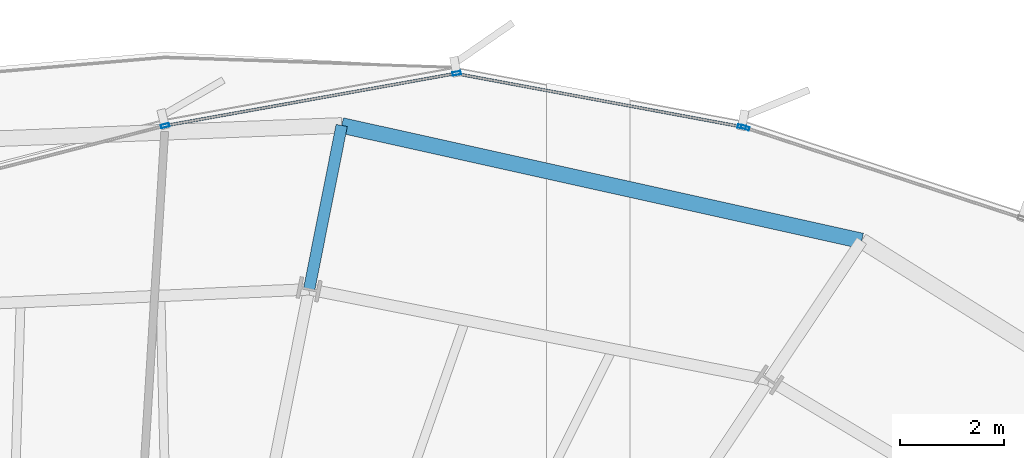
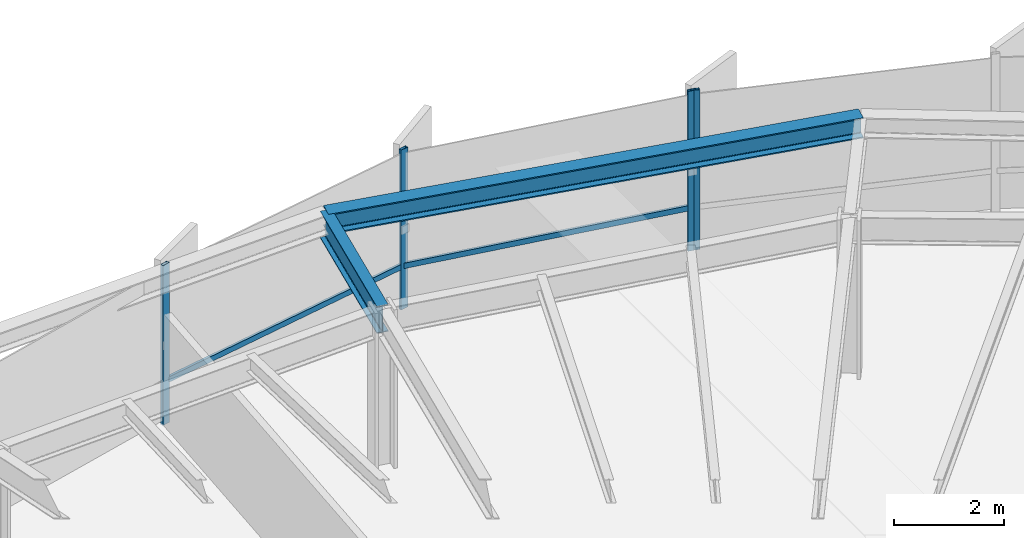
# One storey, part 28 of 38: 6 members, 2 beams, 2 elements without a shape of their own.
"""IFC4 building model written with IfcOpenShell, lengths in metres."""

from ifc_helpers import new_model, si_unit, direction, frame, origin, origin_2d, place, context, subcontext, project, spatial, hollow_rectangle, i_section, extrude, source, transform, mapped, material, layer, layer_set, material_profile, profile_set, type_object, element, aggregate, save


model = new_model("IFC4")

# Units and contexts
model_context = context("Model", 3, precision=1e-05, world=origin(), true_north=direction((0.0, 1.0)))
body_context = subcontext(model_context, "Body", "Model", "MODEL_VIEW")
ifc_project = project(units=[si_unit("LENGTHUNIT", "METRE"), si_unit("AREAUNIT", "SQUARE_METRE"), si_unit("VOLUMEUNIT", "CUBIC_METRE"), si_unit("PLANEANGLEUNIT", "RADIAN"), si_unit("MASSUNIT", "GRAM", prefix="KILO"), si_unit("THERMODYNAMICTEMPERATUREUNIT", "KELVIN")], contexts=[model_context])

# Site, building, storey
site_placement = place(None, origin())
site = spatial("IfcSite", under=ifc_project, at=site_placement, CompositionType="ELEMENT")
building_placement = place(site_placement, origin())
building = spatial("IfcBuilding", under=site, at=building_placement, Name="Kethvar Cultural Tower", CompositionType="ELEMENT")
storey_placement = place(building_placement, frame((0.0, 0.0, 67.60009765625)))
storey = spatial("IfcBuildingStorey", under=building, at=storey_placement, Name="L16", CompositionType="ELEMENT", Elevation=67.60009765625)

# Beams
ifc_material_1 = material(Name="Steel S355J2", Category="steel")
ifc_material_profile_1 = material_profile(ifc_material_1, i_section(OverallWidth=0.219970703125, OverallDepth=0.60009765625, WebThickness=0.011962890625, FlangeThickness=0.01904296875, FilletRadius=0.02392578125, at=origin_2d()), Name="Steel S355J2 — IPE600")
ifc_profile_set_1 = profile_set([ifc_material_profile_1], Name="Steel S355J2 — IPE600")
beam_type_1 = type_object("IfcBeamType", Name="BM-IPE600", PredefinedType="BEAM", material=ifc_profile_set_1)
shared_shape_1 = source(origin(), body_context, "Body", "SweptSolid", [
    extrude(i_section(OverallWidth=0.219970703125, OverallDepth=0.60009765625, WebThickness=0.011962890625, FlangeThickness=0.01904296875, FilletRadius=0.02392578125, at=origin_2d()), origin(), (0.0, 0.0, 1.0), 3.199951171875),
])
beam_1_placement = place(storey_placement, frame((51.022216796875, 49.02587890625, 3.247802734375), z_axis=(0.195088965533, 0.980785550224, 0.0), x_axis=(-0.980785550224, 0.195088965533, 0.0)))
element("IfcBeam", 1, at=beam_1_placement, inside=storey, type_object=beam_type_1, Name="L16 Perimeter Cantilever Beam RC-04", PredefinedType="BEAM", context=body_context, shape_type="MappedRepresentation", body=[
    mapped(shared_shape_1, transform((0.0, 0.0, 0.0), scale=1.0)),
])
ifc_material_profile_2 = material_profile(ifc_material_1, i_section(OverallWidth=0.300048828125, OverallDepth=0.449951171875, WebThickness=0.013916015625, FlangeThickness=0.02587890625, FilletRadius=0.027099609375, at=origin_2d()), Name="Steel S355J2 — HEB450")
ifc_profile_set_2 = profile_set([ifc_material_profile_2], Name="Steel S355J2 — HEB450")
beam_type_2 = type_object("IfcBeamType", Name="BM-SP450", PredefinedType="SPANDREL", material=ifc_profile_set_2)
shared_shape_2 = source(origin(), body_context, "Body", "SweptSolid", [
    extrude(i_section(OverallWidth=0.300048828125, OverallDepth=0.449951171875, WebThickness=0.013916015625, FlangeThickness=0.02587890625, FilletRadius=0.027099609375, at=origin_2d()), origin(), (0.0, 0.0, 1.0), 10.19873046875),
])
beam_2_placement = place(storey_placement, frame((61.602783203125, 49.9541015625, 3.322998046875), z_axis=(-0.976234913358, 0.216715006268, 0.0), x_axis=(-0.216715006268, -0.976234913358, 0.0)))
element("IfcBeam", 2, at=beam_2_placement, inside=storey, type_object=beam_type_2, Name="L16 Perimeter Spandrel Beam SP-03", PredefinedType="SPANDREL", context=body_context, shape_type="MappedRepresentation", body=[
    mapped(shared_shape_2, transform((0.0, 0.0, 0.0), scale=1.0)),
])

# Curtain wall, member
ifc_material_2 = material(Name="Aluminium 6063-T6", Category="aluminium")
ifc_layer = layer(ifc_material_2, 0.179931640625, Name="Aluminium 6063-T6", Category="aluminium")
ifc_layer_set = layer_set([ifc_layer], Name="Aluminium 6063-T6 (180 mm)")
curtain_wall_type = type_object("IfcCurtainWallType", Name="CW-SYS-02-Z1", PredefinedType="NOTDEFINED", material=ifc_layer_set)
curtain_wall_1_placement = place(storey_placement, origin())
curtain_wall_1 = element("IfcCurtainWall", 3, at=curtain_wall_1_placement, inside=storey, type_object=curtain_wall_type, Name="L16 Curtain Wall Run 01", PredefinedType="NOTDEFINED")
ifc_material_profile_3 = material_profile(ifc_material_2, hollow_rectangle(XDim=0.06494140625, YDim=0.159912109375, WallThickness=0.0048828125, at=origin_2d()), Name="Aluminium 6063-T6 — RHS160x65x5")
ifc_profile_set_3 = profile_set([ifc_material_profile_3], Name="Aluminium 6063-T6 — RHS160x65x5")
member_type_1 = type_object("IfcMemberType", Name="CW-SYS-02-Z1-MUL", PredefinedType="MULLION", material=ifc_profile_set_3)
shared_shape_3 = source(origin(), body_context, "Body", "SweptSolid", [
    extrude(hollow_rectangle(XDim=0.06494140625, YDim=0.159912109375, WallThickness=0.0048828125, at=origin_2d()), origin(), (0.0, 0.0, 1.0), 3.5498046875),
])
member_1_placement = place(storey_placement, frame((59.373291015625, 52.12109375, 0.0), z_axis=(0.0, 0.0, 1.0), x_axis=(-0.310842321189, -0.950461493885, 0.0)))
member_1 = element("IfcMember", 4, at=member_1_placement, type_object=member_type_1, Name="CW-L16-R01 Mullion 7", PredefinedType="MULLION", context=body_context, shape_type="MappedRepresentation", body=[
    mapped(shared_shape_3, transform((0.0, 0.0, 0.0), scale=1.0)),
])
aggregate(curtain_wall_1, [member_1])

# Curtain wall, members
curtain_wall_2_placement = place(storey_placement, origin())
curtain_wall_2 = element("IfcCurtainWall", 5, at=curtain_wall_2_placement, inside=storey, type_object=curtain_wall_type, Name="L16 Curtain Wall Run 02", PredefinedType="NOTDEFINED")
member_2_placement = place(storey_placement, frame((59.306884765625, 52.13818359375, 0.0), z_axis=(0.0, 0.0, 1.0), x_axis=(-0.182990557245, -0.983114670809, 0.0)))
member_2 = element("IfcMember", 6, at=member_2_placement, type_object=member_type_1, Name="CW-L16-R02 Mullion 1", PredefinedType="MULLION", context=body_context, shape_type="MappedRepresentation", body=[
    mapped(shared_shape_3, transform((0.0, 0.0, 0.0), scale=1.0)),
])
member_3_placement = place(storey_placement, frame((53.846923828125, 53.162353515625, 0.0), z_axis=(0.0, 0.0, 1.0), x_axis=(0.176792715814, -0.984248106747, 0.0)))
member_3 = element("IfcMember", 7, at=member_3_placement, type_object=member_type_1, Name="CW-L16-R02 Mullion 2", PredefinedType="MULLION", context=body_context, shape_type="MappedRepresentation", body=[
    mapped(shared_shape_3, transform((0.0, 0.0, 0.0), scale=1.0)),
])
member_4_placement = place(storey_placement, frame((48.263427734375, 52.15966796875, 0.0), z_axis=(0.0, 0.0, 1.0), x_axis=(0.249467435333, -0.968383187952, 0.0)))
member_4 = element("IfcMember", 8, at=member_4_placement, type_object=member_type_1, Name="CW-L16-R02 Mullion 3", PredefinedType="MULLION", context=body_context, shape_type="MappedRepresentation", body=[
    mapped(shared_shape_3, transform((0.0, 0.0, 0.0), scale=1.0)),
])
ifc_material_profile_4 = material_profile(ifc_material_2, hollow_rectangle(XDim=0.054931640625, YDim=0.1201171875, WallThickness=0.00390625, at=origin_2d()), Name="Aluminium 6063-T6 — RHS120x55x4")
ifc_profile_set_4 = profile_set([ifc_material_profile_4], Name="Aluminium 6063-T6 — RHS120x55x4")
member_type_2 = type_object("IfcMemberType", Name="CW-SYS-02-Z1-TRN", PredefinedType="USERDEFINED", material=ifc_profile_set_4)
shared_shape_4 = source(origin(), body_context, "Body", "SweptSolid", [
    extrude(hollow_rectangle(XDim=0.054931640625, YDim=0.1201171875, WallThickness=0.00390625, at=origin_2d()), origin(), (0.0, 0.0, 1.0), 5.54638671875),
])
member_5_placement = place(storey_placement, frame((59.302490234375, 52.138916015625, 0.949951171875), z_axis=(-0.98311550384, 0.182986081735, 0.0), x_axis=(-0.182986081735, -0.98311550384, 0.0)))
member_5 = element("IfcMember", 9, at=member_5_placement, type_object=member_type_2, Name="CW-L16-R02 Transom 1", ObjectType="TRANSOM", PredefinedType="USERDEFINED", context=body_context, shape_type="MappedRepresentation", body=[
    mapped(shared_shape_4, transform((0.0, 0.0, 0.0), scale=1.0)),
])
shared_shape_5 = source(origin(), body_context, "Body", "SweptSolid", [
    extrude(hollow_rectangle(XDim=0.054931640625, YDim=0.1201171875, WallThickness=0.00390625, at=origin_2d()), origin(), (0.0, 0.0, 1.0), 5.588134765625),
])
member_6_placement = place(storey_placement, frame((53.80078125, 53.154052734375, 0.949951171875), z_axis=(-0.984244508791, -0.176812745342, 0.0), x_axis=(0.176812745342, -0.984244508791, 0.0)))
member_6 = element("IfcMember", 10, at=member_6_placement, type_object=member_type_2, Name="CW-L16-R02 Transom 2", ObjectType="TRANSOM", PredefinedType="USERDEFINED", context=body_context, shape_type="MappedRepresentation", body=[
    mapped(shared_shape_5, transform((0.0, 0.0, 0.0), scale=1.0)),
])
aggregate(curtain_wall_2, [member_2, member_3, member_4, member_5, member_6])

save(model, "model.ifc")
